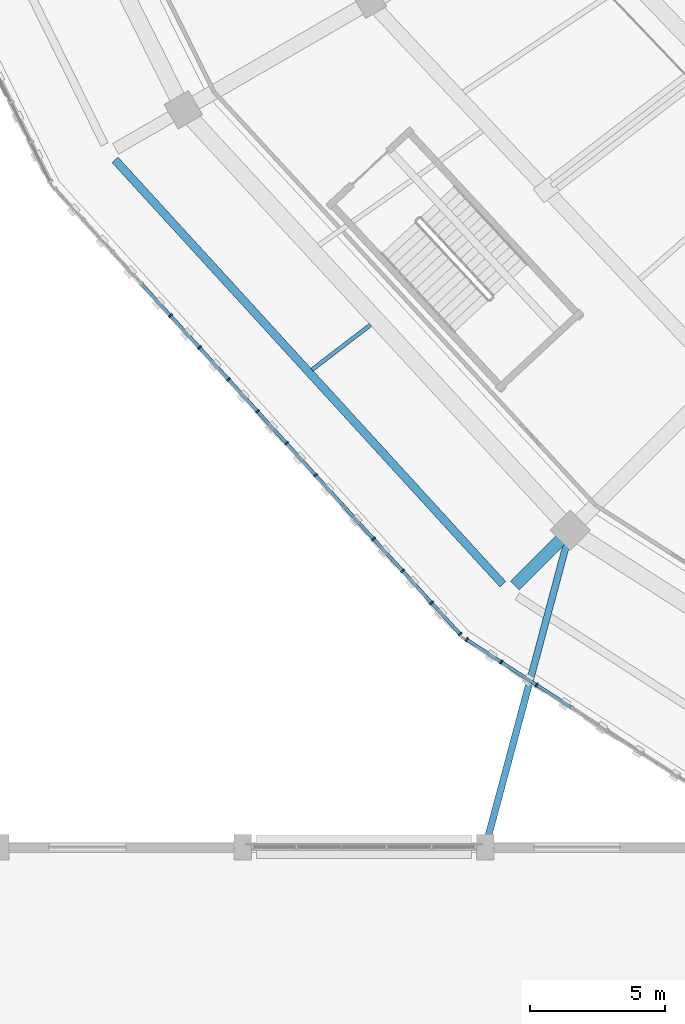
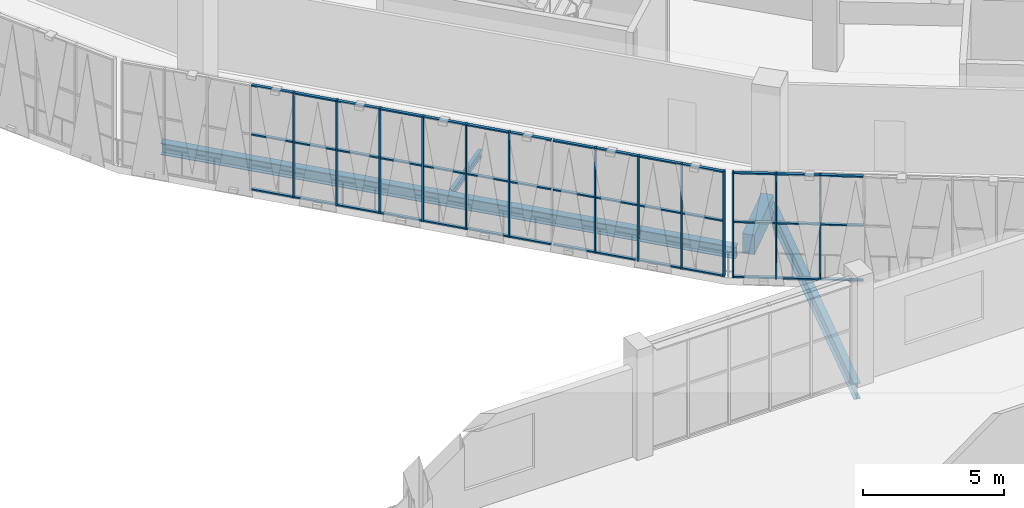
# One storey, part 8 of 152: 55 members, 4 beams, 2 elements without a shape of their own.
"""IFC4 building model written with IfcOpenShell, lengths in metres."""

from ifc_helpers import new_model, si_unit, direction, frame, origin, origin_2d, place, context, subcontext, project, spatial, rectangle, i_section, extrude, material, material_profile, profile_set, type_object, element, aggregate, save


model = new_model("IFC4")

# Units and contexts
model_context = context("Model", 3, precision=1e-05, world=origin(), true_north=direction((0.0, 1.0)))
body_context = subcontext(model_context, "Body", "Model", "MODEL_VIEW")
ifc_project = project(units=[si_unit("LENGTHUNIT", "METRE"), si_unit("AREAUNIT", "SQUARE_METRE"), si_unit("VOLUMEUNIT", "CUBIC_METRE"), si_unit("PLANEANGLEUNIT", "RADIAN"), si_unit("MASSUNIT", "GRAM", prefix="KILO")], contexts=[model_context])

# Site, building, storey
site_placement = place(None, origin())
site = spatial("IfcSite", under=ifc_project, at=site_placement, CompositionType="ELEMENT")
building_placement = place(site_placement, origin())
building = spatial("IfcBuilding", under=site, at=building_placement, Name="Zevraka Park Crest Stadium", CompositionType="ELEMENT")
storey_placement = place(building_placement, frame((0.0, 0.0, 15.0)))
storey = spatial("IfcBuildingStorey", under=building, at=storey_placement, Name="L03", CompositionType="ELEMENT", Elevation=15.0)

# Beams
ifc_material_1 = material(Name="Concrete C40/50", Category="concrete")
ifc_material_profile_1 = material_profile(ifc_material_1, rectangle(XDim=0.449951171875, YDim=0.85009765625, at=origin_2d()), Name="RC 850x450")
ifc_profile_set_1 = profile_set([ifc_material_profile_1], Name="Concrete C40/50")
beam_type_1 = type_object("IfcBeamType", Name="BG03", PredefinedType="BEAM", material=ifc_profile_set_1)
beam_1_placement = place(storey_placement, frame((47.93603515625, 38.54296875, -0.43505859375), z_axis=(-0.706965918589, -0.707247615728, 0.0), x_axis=(0.707247615728, -0.706965918589, 0.0)))
element("IfcBeam", 1, at=beam_1_placement, inside=storey, type_object=beam_type_1, Name="Radial Girder BG03 L03-DE-15", PredefinedType="BEAM", context=body_context, shape_type="SweptSolid", body=[
    extrude(rectangle(XDim=0.449951171875, YDim=0.85009765625, at=origin_2d()), origin(), (0.0, 0.0, 1.0), 2.60009765625),
])
ifc_material_2 = material(Name="Steel S355", Category="steel")
ifc_material_profile_2 = material_profile(ifc_material_2, i_section(OverallWidth=0.253662109375, OverallDepth=0.68359375, WebThickness=0.012451171875, FlangeThickness=0.01904296875, at=origin_2d()), Name="UKB 686x254x140")
ifc_profile_set_2 = profile_set([ifc_material_profile_2], Name="Steel S355")
beam_type_2 = type_object("IfcBeamType", Name="BG05", PredefinedType="BEAM", material=ifc_profile_set_2)
beam_2_placement = place(storey_placement, frame((45.052001953125, 27.193115234375, -0.649658203125), z_axis=(0.25869045552, 0.96596027259, 0.0), x_axis=(-0.96596027259, 0.25869045552, 0.0)))
element("IfcBeam", 2, at=beam_2_placement, inside=storey, type_object=beam_type_2, Name="Wing Link Girder BG05 L03-6/D", PredefinedType="BEAM", context=body_context, shape_type="SweptSolid", body=[
    extrude(i_section(OverallWidth=0.253662109375, OverallDepth=0.68359375, WebThickness=0.012451171875, FlangeThickness=0.01904296875, at=origin_2d()), origin(), (0.0, 0.0, 1.0), 11.58935546875),
])

# Curtain wall, members
ifc_material_3 = material(Name="Anodised architectural aluminium and laminated safety glass", Category="aluminium")
curtain_wall_type = type_object("IfcCurtainWallType", Name="CW13", PredefinedType="NOTDEFINED", material=ifc_material_3)
curtain_wall_1_placement = place(storey_placement, origin())
curtain_wall_1 = element("IfcCurtainWall", 3, at=curtain_wall_1_placement, inside=storey, type_object=curtain_wall_type, Name="Unitised Ring Curtain Wall CW13 L03-14", PredefinedType="NOTDEFINED")
ifc_material_4 = material(Name="Anodised architectural aluminium", Category="aluminium")
ifc_material_profile_3 = material_profile(ifc_material_4, rectangle(XDim=0.159912109375, YDim=0.06005859375, at=origin_2d()), Name="ALU MULLION 160x60")
ifc_profile_set_3 = profile_set([ifc_material_profile_3], Name="Anodised architectural aluminium")
member_type_1 = type_object("IfcMemberType", Name="CM01", PredefinedType="MULLION", material=ifc_profile_set_3)
member_1_placement = place(storey_placement, frame((33.320068359375, 46.716064453125, 0.0), z_axis=(0.0, 0.0, 1.0), x_axis=(0.739822878481, 0.672801685845, 0.0)))
member_1 = element("IfcMember", 4, at=member_1_placement, type_object=member_type_1, Name="CW13 mullion 5", PredefinedType="MULLION", context=body_context, shape_type="SweptSolid", body=[
    extrude(rectangle(XDim=0.159912109375, YDim=0.06005859375, at=origin_2d()), origin(), (0.0, 0.0, 1.0), 4.5400390625),
])
member_2_placement = place(storey_placement, frame((34.396484375, 45.532470703125, 0.0), z_axis=(0.0, 0.0, 1.0), x_axis=(0.739822878481, 0.672801685845, 0.0)))
member_2 = element("IfcMember", 5, at=member_2_placement, type_object=member_type_1, Name="CW13 mullion 6", PredefinedType="MULLION", context=body_context, shape_type="SweptSolid", body=[
    extrude(rectangle(XDim=0.159912109375, YDim=0.06005859375, at=origin_2d()), origin(), (0.0, 0.0, 1.0), 4.5400390625),
])
member_3_placement = place(storey_placement, frame((35.47265625, 44.34912109375, 0.0), z_axis=(0.0, 0.0, 1.0), x_axis=(0.739822878481, 0.672801685845, 0.0)))
member_3 = element("IfcMember", 6, at=member_3_placement, type_object=member_type_1, Name="CW13 mullion 7", PredefinedType="MULLION", context=body_context, shape_type="SweptSolid", body=[
    extrude(rectangle(XDim=0.159912109375, YDim=0.06005859375, at=origin_2d()), origin(), (0.0, 0.0, 1.0), 4.5400390625),
])
member_4_placement = place(storey_placement, frame((36.549072265625, 43.16552734375, 0.0), z_axis=(0.0, 0.0, 1.0), x_axis=(0.739822878481, 0.672801685845, 0.0)))
member_4 = element("IfcMember", 7, at=member_4_placement, type_object=member_type_1, Name="CW13 mullion 8", PredefinedType="MULLION", context=body_context, shape_type="SweptSolid", body=[
    extrude(rectangle(XDim=0.159912109375, YDim=0.06005859375, at=origin_2d()), origin(), (0.0, 0.0, 1.0), 4.5400390625),
])
member_5_placement = place(storey_placement, frame((37.625244140625, 41.98193359375, 0.0), z_axis=(0.0, 0.0, 1.0), x_axis=(0.739822878481, 0.672801685845, 0.0)))
member_5 = element("IfcMember", 8, at=member_5_placement, type_object=member_type_1, Name="CW13 mullion 9", PredefinedType="MULLION", context=body_context, shape_type="SweptSolid", body=[
    extrude(rectangle(XDim=0.159912109375, YDim=0.06005859375, at=origin_2d()), origin(), (0.0, 0.0, 1.0), 4.5400390625),
])
member_6_placement = place(storey_placement, frame((38.70166015625, 40.798583984375, 0.0), z_axis=(0.0, 0.0, 1.0), x_axis=(0.739822878481, 0.672801685845, 0.0)))
member_6 = element("IfcMember", 9, at=member_6_placement, type_object=member_type_1, Name="CW13 mullion 10", PredefinedType="MULLION", context=body_context, shape_type="SweptSolid", body=[
    extrude(rectangle(XDim=0.159912109375, YDim=0.06005859375, at=origin_2d()), origin(), (0.0, 0.0, 1.0), 4.5400390625),
])
member_7_placement = place(storey_placement, frame((40.854248046875, 38.431396484375, 0.0), z_axis=(0.0, 0.0, 1.0), x_axis=(0.739822878481, 0.672801685845, 0.0)))
member_7 = element("IfcMember", 10, at=member_7_placement, type_object=member_type_1, Name="CW13 mullion 12", PredefinedType="MULLION", context=body_context, shape_type="SweptSolid", body=[
    extrude(rectangle(XDim=0.159912109375, YDim=0.06005859375, at=origin_2d()), origin(), (0.0, 0.0, 1.0), 4.5400390625),
])
member_8_placement = place(storey_placement, frame((41.930419921875, 37.248046875, 0.0), z_axis=(0.0, 0.0, 1.0), x_axis=(0.739822878481, 0.672801685845, 0.0)))
member_8 = element("IfcMember", 11, at=member_8_placement, type_object=member_type_1, Name="CW13 mullion 13", PredefinedType="MULLION", context=body_context, shape_type="SweptSolid", body=[
    extrude(rectangle(XDim=0.159912109375, YDim=0.06005859375, at=origin_2d()), origin(), (0.0, 0.0, 1.0), 4.5400390625),
])
member_9_placement = place(storey_placement, frame((43.0068359375, 36.064453125, 0.0), z_axis=(0.0, 0.0, 1.0), x_axis=(0.739822878481, 0.672801685845, 0.0)))
member_9 = element("IfcMember", 12, at=member_9_placement, type_object=member_type_1, Name="CW13 mullion 14", PredefinedType="MULLION", context=body_context, shape_type="SweptSolid", body=[
    extrude(rectangle(XDim=0.159912109375, YDim=0.06005859375, at=origin_2d()), origin(), (0.0, 0.0, 1.0), 4.5400390625),
])
member_10_placement = place(storey_placement, frame((44.062744140625, 34.903076171875, 0.0), z_axis=(0.0, 0.0, 1.0), x_axis=(0.739822878481, 0.672801685845, 0.0)))
member_10 = element("IfcMember", 13, at=member_10_placement, type_object=member_type_1, Name="CW13 mullion 15", PredefinedType="MULLION", context=body_context, shape_type="SweptSolid", body=[
    extrude(rectangle(XDim=0.159912109375, YDim=0.06005859375, at=origin_2d()), origin(), (0.0, 0.0, 1.0), 4.5400390625),
])

curtain_wall_2_placement = place(storey_placement, origin())
curtain_wall_2 = element("IfcCurtainWall", 14, at=curtain_wall_2_placement, inside=storey, type_object=curtain_wall_type, Name="Unitised Ring Curtain Wall CW13 L03-15", PredefinedType="NOTDEFINED")
member_11_placement = place(storey_placement, frame((44.30419921875, 34.69873046875, 0.0), z_axis=(0.0, 0.0, 1.0), x_axis=(0.543469160232, 0.839429134517, 0.0)))
member_11 = element("IfcMember", 15, at=member_11_placement, type_object=member_type_1, Name="CW13 mullion 1", PredefinedType="MULLION", context=body_context, shape_type="SweptSolid", body=[
    extrude(rectangle(XDim=0.159912109375, YDim=0.06005859375, at=origin_2d()), origin(), (0.0, 0.0, 1.0), 4.5400390625),
])
member_12_placement = place(storey_placement, frame((45.5888671875, 33.866943359375, 0.0), z_axis=(0.0, 0.0, 1.0), x_axis=(0.543469160232, 0.839429134517, 0.0)))
member_12 = element("IfcMember", 16, at=member_12_placement, type_object=member_type_1, Name="CW13 mullion 2", PredefinedType="MULLION", context=body_context, shape_type="SweptSolid", body=[
    extrude(rectangle(XDim=0.159912109375, YDim=0.06005859375, at=origin_2d()), origin(), (0.0, 0.0, 1.0), 4.5400390625),
])
member_13_placement = place(storey_placement, frame((46.898681640625, 33.01904296875, 0.0), z_axis=(0.0, 0.0, 1.0), x_axis=(0.543469160232, 0.839429134517, 0.0)))
member_13 = element("IfcMember", 17, at=member_13_placement, type_object=member_type_1, Name="CW13 mullion 3", PredefinedType="MULLION", context=body_context, shape_type="SweptSolid", body=[
    extrude(rectangle(XDim=0.159912109375, YDim=0.06005859375, at=origin_2d()), origin(), (0.0, 0.0, 1.0), 4.5400390625),
])

# Member
ifc_material_5 = material(Name="Anodised architectural aluminium", Category="aluminium")
ifc_material_profile_4 = material_profile(ifc_material_5, rectangle(XDim=0.1201171875, YDim=0.06005859375, at=origin_2d()), Name="ALU TRANSOM 120x60")
ifc_profile_set_4 = profile_set([ifc_material_profile_4], Name="Anodised architectural aluminium")
member_type_2 = type_object("IfcMemberType", Name="CT01", PredefinedType="USERDEFINED", material=ifc_profile_set_4)
member_14_placement = place(storey_placement, frame((32.26416015625, 47.877197265625, 0.030029296875), z_axis=(0.672854315392, -0.73977501327, 0.0), x_axis=(0.73977501327, 0.672854315392, 0.0)))
member_14 = element("IfcMember", 18, at=member_14_placement, type_object=member_type_2, Name="CW13 transom 4.1", ObjectType="TRANSOM", PredefinedType="USERDEFINED", context=body_context, shape_type="SweptSolid", body=[
    extrude(rectangle(XDim=0.1201171875, YDim=0.06005859375, at=origin_2d()), origin(), (0.0, 0.0, 1.0), 1.53955078125),
])

member_15_placement = place(storey_placement, frame((32.26416015625, 47.877197265625, 2.39990234375), z_axis=(0.672854315392, -0.73977501327, 0.0), x_axis=(0.73977501327, 0.672854315392, 0.0)))
member_15 = element("IfcMember", 19, at=member_15_placement, type_object=member_type_2, Name="CW13 transom 4.2", ObjectType="TRANSOM", PredefinedType="USERDEFINED", context=body_context, shape_type="SweptSolid", body=[
    extrude(rectangle(XDim=0.1201171875, YDim=0.06005859375, at=origin_2d()), origin(), (0.0, 0.0, 1.0), 1.53955078125),
])

member_16_placement = place(storey_placement, frame((32.26416015625, 47.877197265625, 4.510009765625), z_axis=(0.672854315392, -0.73977501327, 0.0), x_axis=(0.73977501327, 0.672854315392, 0.0)))
member_16 = element("IfcMember", 20, at=member_16_placement, type_object=member_type_2, Name="CW13 transom 4.3", ObjectType="TRANSOM", PredefinedType="USERDEFINED", context=body_context, shape_type="SweptSolid", body=[
    extrude(rectangle(XDim=0.1201171875, YDim=0.06005859375, at=origin_2d()), origin(), (0.0, 0.0, 1.0), 1.53955078125),
])

member_17_placement = place(storey_placement, frame((33.34033203125, 46.69384765625, 0.030029296875), z_axis=(0.672775385986, -0.739846794959, 0.0), x_axis=(0.739846794959, 0.672775385986, 0.0)))
member_17 = element("IfcMember", 21, at=member_17_placement, type_object=member_type_2, Name="CW13 transom 5.1", ObjectType="TRANSOM", PredefinedType="USERDEFINED", context=body_context, shape_type="SweptSolid", body=[
    extrude(rectangle(XDim=0.1201171875, YDim=0.06005859375, at=origin_2d()), origin(), (0.0, 0.0, 1.0), 1.539794921875),
])

member_18_placement = place(storey_placement, frame((33.34033203125, 46.69384765625, 2.39990234375), z_axis=(0.672775385986, -0.739846794959, 0.0), x_axis=(0.739846794959, 0.672775385986, 0.0)))
member_18 = element("IfcMember", 22, at=member_18_placement, type_object=member_type_2, Name="CW13 transom 5.2", ObjectType="TRANSOM", PredefinedType="USERDEFINED", context=body_context, shape_type="SweptSolid", body=[
    extrude(rectangle(XDim=0.1201171875, YDim=0.06005859375, at=origin_2d()), origin(), (0.0, 0.0, 1.0), 1.539794921875),
])

member_19_placement = place(storey_placement, frame((33.34033203125, 46.69384765625, 4.510009765625), z_axis=(0.672775385986, -0.739846794959, 0.0), x_axis=(0.739846794959, 0.672775385986, 0.0)))
member_19 = element("IfcMember", 23, at=member_19_placement, type_object=member_type_2, Name="CW13 transom 5.3", ObjectType="TRANSOM", PredefinedType="USERDEFINED", context=body_context, shape_type="SweptSolid", body=[
    extrude(rectangle(XDim=0.1201171875, YDim=0.06005859375, at=origin_2d()), origin(), (0.0, 0.0, 1.0), 1.539794921875),
])

member_20_placement = place(storey_placement, frame((34.41650390625, 45.51025390625, 0.030029296875), z_axis=(0.672862164291, -0.739767874313, 0.0), x_axis=(0.739767874313, 0.672862164291, 0.0)))
member_20 = element("IfcMember", 24, at=member_20_placement, type_object=member_type_2, Name="CW13 transom 6.1", ObjectType="TRANSOM", PredefinedType="USERDEFINED", context=body_context, shape_type="SweptSolid", body=[
    extrude(rectangle(XDim=0.1201171875, YDim=0.06005859375, at=origin_2d()), origin(), (0.0, 0.0, 1.0), 1.539794921875),
])

member_21_placement = place(storey_placement, frame((34.41650390625, 45.51025390625, 2.39990234375), z_axis=(0.672862164291, -0.739767874313, 0.0), x_axis=(0.739767874313, 0.672862164291, 0.0)))
member_21 = element("IfcMember", 25, at=member_21_placement, type_object=member_type_2, Name="CW13 transom 6.2", ObjectType="TRANSOM", PredefinedType="USERDEFINED", context=body_context, shape_type="SweptSolid", body=[
    extrude(rectangle(XDim=0.1201171875, YDim=0.06005859375, at=origin_2d()), origin(), (0.0, 0.0, 1.0), 1.539794921875),
])

member_22_placement = place(storey_placement, frame((34.41650390625, 45.51025390625, 4.510009765625), z_axis=(0.672862164291, -0.739767874313, 0.0), x_axis=(0.739767874313, 0.672862164291, 0.0)))
member_22 = element("IfcMember", 26, at=member_22_placement, type_object=member_type_2, Name="CW13 transom 6.3", ObjectType="TRANSOM", PredefinedType="USERDEFINED", context=body_context, shape_type="SweptSolid", body=[
    extrude(rectangle(XDim=0.1201171875, YDim=0.06005859375, at=origin_2d()), origin(), (0.0, 0.0, 1.0), 1.539794921875),
])

member_23_placement = place(storey_placement, frame((35.492919921875, 44.326904296875, 0.030029296875), z_axis=(0.672775385986, -0.739846794959, 0.0), x_axis=(0.739846794959, 0.672775385986, 0.0)))
member_23 = element("IfcMember", 27, at=member_23_placement, type_object=member_type_2, Name="CW13 transom 7.1", ObjectType="TRANSOM", PredefinedType="USERDEFINED", context=body_context, shape_type="SweptSolid", body=[
    extrude(rectangle(XDim=0.1201171875, YDim=0.06005859375, at=origin_2d()), origin(), (0.0, 0.0, 1.0), 1.539794921875),
])

member_24_placement = place(storey_placement, frame((35.492919921875, 44.326904296875, 2.39990234375), z_axis=(0.672775385986, -0.739846794959, 0.0), x_axis=(0.739846794959, 0.672775385986, 0.0)))
member_24 = element("IfcMember", 28, at=member_24_placement, type_object=member_type_2, Name="CW13 transom 7.2", ObjectType="TRANSOM", PredefinedType="USERDEFINED", context=body_context, shape_type="SweptSolid", body=[
    extrude(rectangle(XDim=0.1201171875, YDim=0.06005859375, at=origin_2d()), origin(), (0.0, 0.0, 1.0), 1.539794921875),
])

member_25_placement = place(storey_placement, frame((35.492919921875, 44.326904296875, 4.510009765625), z_axis=(0.672775385986, -0.739846794959, 0.0), x_axis=(0.739846794959, 0.672775385986, 0.0)))
member_25 = element("IfcMember", 29, at=member_25_placement, type_object=member_type_2, Name="CW13 transom 7.3", ObjectType="TRANSOM", PredefinedType="USERDEFINED", context=body_context, shape_type="SweptSolid", body=[
    extrude(rectangle(XDim=0.1201171875, YDim=0.06005859375, at=origin_2d()), origin(), (0.0, 0.0, 1.0), 1.539794921875),
])

member_26_placement = place(storey_placement, frame((36.569091796875, 43.143310546875, 0.030029296875), z_axis=(0.672775385986, -0.739846794959, 0.0), x_axis=(0.739846794959, 0.672775385986, 0.0)))
member_26 = element("IfcMember", 30, at=member_26_placement, type_object=member_type_2, Name="CW13 transom 8.1", ObjectType="TRANSOM", PredefinedType="USERDEFINED", context=body_context, shape_type="SweptSolid", body=[
    extrude(rectangle(XDim=0.1201171875, YDim=0.06005859375, at=origin_2d()), origin(), (0.0, 0.0, 1.0), 1.539794921875),
])

member_27_placement = place(storey_placement, frame((36.569091796875, 43.143310546875, 2.39990234375), z_axis=(0.672775385986, -0.739846794959, 0.0), x_axis=(0.739846794959, 0.672775385986, 0.0)))
member_27 = element("IfcMember", 31, at=member_27_placement, type_object=member_type_2, Name="CW13 transom 8.2", ObjectType="TRANSOM", PredefinedType="USERDEFINED", context=body_context, shape_type="SweptSolid", body=[
    extrude(rectangle(XDim=0.1201171875, YDim=0.06005859375, at=origin_2d()), origin(), (0.0, 0.0, 1.0), 1.539794921875),
])

member_28_placement = place(storey_placement, frame((36.569091796875, 43.143310546875, 4.510009765625), z_axis=(0.672775385986, -0.739846794959, 0.0), x_axis=(0.739846794959, 0.672775385986, 0.0)))
member_28 = element("IfcMember", 32, at=member_28_placement, type_object=member_type_2, Name="CW13 transom 8.3", ObjectType="TRANSOM", PredefinedType="USERDEFINED", context=body_context, shape_type="SweptSolid", body=[
    extrude(rectangle(XDim=0.1201171875, YDim=0.06005859375, at=origin_2d()), origin(), (0.0, 0.0, 1.0), 1.539794921875),
])

member_29_placement = place(storey_placement, frame((37.6455078125, 41.959716796875, 0.030029296875), z_axis=(0.672854315392, -0.73977501327, 0.0), x_axis=(0.73977501327, 0.672854315392, 0.0)))
member_29 = element("IfcMember", 33, at=member_29_placement, type_object=member_type_2, Name="CW13 transom 9.1", ObjectType="TRANSOM", PredefinedType="USERDEFINED", context=body_context, shape_type="SweptSolid", body=[
    extrude(rectangle(XDim=0.1201171875, YDim=0.06005859375, at=origin_2d()), origin(), (0.0, 0.0, 1.0), 1.53955078125),
])

member_30_placement = place(storey_placement, frame((37.6455078125, 41.959716796875, 2.39990234375), z_axis=(0.672854315392, -0.73977501327, 0.0), x_axis=(0.73977501327, 0.672854315392, 0.0)))
member_30 = element("IfcMember", 34, at=member_30_placement, type_object=member_type_2, Name="CW13 transom 9.2", ObjectType="TRANSOM", PredefinedType="USERDEFINED", context=body_context, shape_type="SweptSolid", body=[
    extrude(rectangle(XDim=0.1201171875, YDim=0.06005859375, at=origin_2d()), origin(), (0.0, 0.0, 1.0), 1.53955078125),
])

member_31_placement = place(storey_placement, frame((37.6455078125, 41.959716796875, 4.510009765625), z_axis=(0.672854315392, -0.73977501327, 0.0), x_axis=(0.73977501327, 0.672854315392, 0.0)))
member_31 = element("IfcMember", 35, at=member_31_placement, type_object=member_type_2, Name="CW13 transom 9.3", ObjectType="TRANSOM", PredefinedType="USERDEFINED", context=body_context, shape_type="SweptSolid", body=[
    extrude(rectangle(XDim=0.1201171875, YDim=0.06005859375, at=origin_2d()), origin(), (0.0, 0.0, 1.0), 1.53955078125),
])

member_32_placement = place(storey_placement, frame((38.7216796875, 40.7763671875, 0.030029296875), z_axis=(0.672775385986, -0.739846794959, 0.0), x_axis=(0.739846794959, 0.672775385986, 0.0)))
member_32 = element("IfcMember", 36, at=member_32_placement, type_object=member_type_2, Name="CW13 transom 10.1", ObjectType="TRANSOM", PredefinedType="USERDEFINED", context=body_context, shape_type="SweptSolid", body=[
    extrude(rectangle(XDim=0.1201171875, YDim=0.06005859375, at=origin_2d()), origin(), (0.0, 0.0, 1.0), 1.539794921875),
])

member_33_placement = place(storey_placement, frame((38.7216796875, 40.7763671875, 2.39990234375), z_axis=(0.672775385986, -0.739846794959, 0.0), x_axis=(0.739846794959, 0.672775385986, 0.0)))
member_33 = element("IfcMember", 37, at=member_33_placement, type_object=member_type_2, Name="CW13 transom 10.2", ObjectType="TRANSOM", PredefinedType="USERDEFINED", context=body_context, shape_type="SweptSolid", body=[
    extrude(rectangle(XDim=0.1201171875, YDim=0.06005859375, at=origin_2d()), origin(), (0.0, 0.0, 1.0), 1.539794921875),
])

member_34_placement = place(storey_placement, frame((38.7216796875, 40.7763671875, 4.510009765625), z_axis=(0.672775385986, -0.739846794959, 0.0), x_axis=(0.739846794959, 0.672775385986, 0.0)))
member_34 = element("IfcMember", 38, at=member_34_placement, type_object=member_type_2, Name="CW13 transom 10.3", ObjectType="TRANSOM", PredefinedType="USERDEFINED", context=body_context, shape_type="SweptSolid", body=[
    extrude(rectangle(XDim=0.1201171875, YDim=0.06005859375, at=origin_2d()), origin(), (0.0, 0.0, 1.0), 1.539794921875),
])

member_35_placement = place(storey_placement, frame((39.798095703125, 39.5927734375, 0.030029296875), z_axis=(0.672775385986, -0.739846794959, 0.0), x_axis=(0.739846794959, 0.672775385986, 0.0)))
member_35 = element("IfcMember", 39, at=member_35_placement, type_object=member_type_2, Name="CW13 transom 11.1", ObjectType="TRANSOM", PredefinedType="USERDEFINED", context=body_context, shape_type="SweptSolid", body=[
    extrude(rectangle(XDim=0.1201171875, YDim=0.06005859375, at=origin_2d()), origin(), (0.0, 0.0, 1.0), 1.539794921875),
])

member_36_placement = place(storey_placement, frame((39.798095703125, 39.5927734375, 2.39990234375), z_axis=(0.672775385986, -0.739846794959, 0.0), x_axis=(0.739846794959, 0.672775385986, 0.0)))
member_36 = element("IfcMember", 40, at=member_36_placement, type_object=member_type_2, Name="CW13 transom 11.2", ObjectType="TRANSOM", PredefinedType="USERDEFINED", context=body_context, shape_type="SweptSolid", body=[
    extrude(rectangle(XDim=0.1201171875, YDim=0.06005859375, at=origin_2d()), origin(), (0.0, 0.0, 1.0), 1.539794921875),
])

member_37_placement = place(storey_placement, frame((39.798095703125, 39.5927734375, 4.510009765625), z_axis=(0.672775385986, -0.739846794959, 0.0), x_axis=(0.739846794959, 0.672775385986, 0.0)))
member_37 = element("IfcMember", 41, at=member_37_placement, type_object=member_type_2, Name="CW13 transom 11.3", ObjectType="TRANSOM", PredefinedType="USERDEFINED", context=body_context, shape_type="SweptSolid", body=[
    extrude(rectangle(XDim=0.1201171875, YDim=0.06005859375, at=origin_2d()), origin(), (0.0, 0.0, 1.0), 1.539794921875),
])

member_38_placement = place(storey_placement, frame((40.874267578125, 38.409423828125, 0.030029296875), z_axis=(0.672775385986, -0.739846794959, 0.0), x_axis=(0.739846794959, 0.672775385986, 0.0)))
member_38 = element("IfcMember", 42, at=member_38_placement, type_object=member_type_2, Name="CW13 transom 12.1", ObjectType="TRANSOM", PredefinedType="USERDEFINED", context=body_context, shape_type="SweptSolid", body=[
    extrude(rectangle(XDim=0.1201171875, YDim=0.06005859375, at=origin_2d()), origin(), (0.0, 0.0, 1.0), 1.539794921875),
])

member_39_placement = place(storey_placement, frame((40.874267578125, 38.409423828125, 2.39990234375), z_axis=(0.672775385986, -0.739846794959, 0.0), x_axis=(0.739846794959, 0.672775385986, 0.0)))
member_39 = element("IfcMember", 43, at=member_39_placement, type_object=member_type_2, Name="CW13 transom 12.2", ObjectType="TRANSOM", PredefinedType="USERDEFINED", context=body_context, shape_type="SweptSolid", body=[
    extrude(rectangle(XDim=0.1201171875, YDim=0.06005859375, at=origin_2d()), origin(), (0.0, 0.0, 1.0), 1.539794921875),
])

member_40_placement = place(storey_placement, frame((40.874267578125, 38.409423828125, 4.510009765625), z_axis=(0.672775385986, -0.739846794959, 0.0), x_axis=(0.739846794959, 0.672775385986, 0.0)))
member_40 = element("IfcMember", 44, at=member_40_placement, type_object=member_type_2, Name="CW13 transom 12.3", ObjectType="TRANSOM", PredefinedType="USERDEFINED", context=body_context, shape_type="SweptSolid", body=[
    extrude(rectangle(XDim=0.1201171875, YDim=0.06005859375, at=origin_2d()), origin(), (0.0, 0.0, 1.0), 1.539794921875),
])

member_41_placement = place(storey_placement, frame((41.95068359375, 37.225830078125, 0.030029296875), z_axis=(0.672775385986, -0.739846794959, 0.0), x_axis=(0.739846794959, 0.672775385986, 0.0)))
member_41 = element("IfcMember", 45, at=member_41_placement, type_object=member_type_2, Name="CW13 transom 13.1", ObjectType="TRANSOM", PredefinedType="USERDEFINED", context=body_context, shape_type="SweptSolid", body=[
    extrude(rectangle(XDim=0.1201171875, YDim=0.06005859375, at=origin_2d()), origin(), (0.0, 0.0, 1.0), 1.539794921875),
])

member_42_placement = place(storey_placement, frame((41.95068359375, 37.225830078125, 2.39990234375), z_axis=(0.672775385986, -0.739846794959, 0.0), x_axis=(0.739846794959, 0.672775385986, 0.0)))
member_42 = element("IfcMember", 46, at=member_42_placement, type_object=member_type_2, Name="CW13 transom 13.2", ObjectType="TRANSOM", PredefinedType="USERDEFINED", context=body_context, shape_type="SweptSolid", body=[
    extrude(rectangle(XDim=0.1201171875, YDim=0.06005859375, at=origin_2d()), origin(), (0.0, 0.0, 1.0), 1.539794921875),
])

member_43_placement = place(storey_placement, frame((41.95068359375, 37.225830078125, 4.510009765625), z_axis=(0.672775385986, -0.739846794959, 0.0), x_axis=(0.739846794959, 0.672775385986, 0.0)))
member_43 = element("IfcMember", 47, at=member_43_placement, type_object=member_type_2, Name="CW13 transom 13.3", ObjectType="TRANSOM", PredefinedType="USERDEFINED", context=body_context, shape_type="SweptSolid", body=[
    extrude(rectangle(XDim=0.1201171875, YDim=0.06005859375, at=origin_2d()), origin(), (0.0, 0.0, 1.0), 1.539794921875),
])

member_44_placement = place(storey_placement, frame((43.02685546875, 36.042236328125, 0.030029296875), z_axis=(0.672841795223, -0.73978640066, 0.0), x_axis=(0.73978640066, 0.672841795223, 0.0)))
member_44 = element("IfcMember", 48, at=member_44_placement, type_object=member_type_2, Name="CW13 transom 14.1", ObjectType="TRANSOM", PredefinedType="USERDEFINED", context=body_context, shape_type="SweptSolid", body=[
    extrude(rectangle(XDim=0.1201171875, YDim=0.06005859375, at=origin_2d()), origin(), (0.0, 0.0, 1.0), 1.509765625),
])

member_45_placement = place(storey_placement, frame((43.02685546875, 36.042236328125, 2.39990234375), z_axis=(0.672841795223, -0.73978640066, 0.0), x_axis=(0.73978640066, 0.672841795223, 0.0)))
member_45 = element("IfcMember", 49, at=member_45_placement, type_object=member_type_2, Name="CW13 transom 14.2", ObjectType="TRANSOM", PredefinedType="USERDEFINED", context=body_context, shape_type="SweptSolid", body=[
    extrude(rectangle(XDim=0.1201171875, YDim=0.06005859375, at=origin_2d()), origin(), (0.0, 0.0, 1.0), 1.509765625),
])

member_46_placement = place(storey_placement, frame((43.02685546875, 36.042236328125, 4.510009765625), z_axis=(0.672841795223, -0.73978640066, 0.0), x_axis=(0.73978640066, 0.672841795223, 0.0)))
member_46 = element("IfcMember", 50, at=member_46_placement, type_object=member_type_2, Name="CW13 transom 14.3", ObjectType="TRANSOM", PredefinedType="USERDEFINED", context=body_context, shape_type="SweptSolid", body=[
    extrude(rectangle(XDim=0.1201171875, YDim=0.06005859375, at=origin_2d()), origin(), (0.0, 0.0, 1.0), 1.509765625),
])

aggregate(curtain_wall_1, [member_1, member_2, member_3, member_4, member_5, member_6, member_7, member_8, member_9, member_10, member_14, member_15, member_16, member_17, member_18, member_19, member_20, member_21, member_22, member_23, member_24, member_25, member_26, member_27, member_28, member_29, member_30, member_31, member_32, member_33, member_34, member_35, member_36, member_37, member_38, member_39, member_40, member_41, member_42, member_43, member_44, member_45, member_46])

member_47_placement = place(storey_placement, frame((44.329345703125, 34.682373046875, 0.030029296875), z_axis=(0.839458776454, -0.543423373286, 0.0), x_axis=(0.543423373286, 0.839458776454, 0.0)))
member_47 = element("IfcMember", 51, at=member_47_placement, type_object=member_type_2, Name="CW13 transom 1.1", ObjectType="TRANSOM", PredefinedType="USERDEFINED", context=body_context, shape_type="SweptSolid", body=[
    extrude(rectangle(XDim=0.1201171875, YDim=0.06005859375, at=origin_2d()), origin(), (0.0, 0.0, 1.0), 1.470458984375),
])

member_48_placement = place(storey_placement, frame((44.329345703125, 34.682373046875, 2.39990234375), z_axis=(0.839458776454, -0.543423373286, 0.0), x_axis=(0.543423373286, 0.839458776454, 0.0)))
member_48 = element("IfcMember", 52, at=member_48_placement, type_object=member_type_2, Name="CW13 transom 1.2", ObjectType="TRANSOM", PredefinedType="USERDEFINED", context=body_context, shape_type="SweptSolid", body=[
    extrude(rectangle(XDim=0.1201171875, YDim=0.06005859375, at=origin_2d()), origin(), (0.0, 0.0, 1.0), 1.470458984375),
])

member_49_placement = place(storey_placement, frame((44.329345703125, 34.682373046875, 4.510009765625), z_axis=(0.839458776454, -0.543423373286, 0.0), x_axis=(0.543423373286, 0.839458776454, 0.0)))
member_49 = element("IfcMember", 53, at=member_49_placement, type_object=member_type_2, Name="CW13 transom 1.3", ObjectType="TRANSOM", PredefinedType="USERDEFINED", context=body_context, shape_type="SweptSolid", body=[
    extrude(rectangle(XDim=0.1201171875, YDim=0.06005859375, at=origin_2d()), origin(), (0.0, 0.0, 1.0), 1.470458984375),
])

member_50_placement = place(storey_placement, frame((45.614013671875, 33.8505859375, 0.030029296875), z_axis=(0.839509029958, -0.543345735807, 0.0), x_axis=(0.543345735807, 0.839509029958, 0.0)))
member_50 = element("IfcMember", 54, at=member_50_placement, type_object=member_type_2, Name="CW13 transom 2.1", ObjectType="TRANSOM", PredefinedType="USERDEFINED", context=body_context, shape_type="SweptSolid", body=[
    extrude(rectangle(XDim=0.1201171875, YDim=0.06005859375, at=origin_2d()), origin(), (0.0, 0.0, 1.0), 1.500244140625),
])

member_51_placement = place(storey_placement, frame((45.614013671875, 33.8505859375, 2.39990234375), z_axis=(0.839509029958, -0.543345735807, 0.0), x_axis=(0.543345735807, 0.839509029958, 0.0)))
member_51 = element("IfcMember", 55, at=member_51_placement, type_object=member_type_2, Name="CW13 transom 2.2", ObjectType="TRANSOM", PredefinedType="USERDEFINED", context=body_context, shape_type="SweptSolid", body=[
    extrude(rectangle(XDim=0.1201171875, YDim=0.06005859375, at=origin_2d()), origin(), (0.0, 0.0, 1.0), 1.500244140625),
])

member_52_placement = place(storey_placement, frame((45.614013671875, 33.8505859375, 4.510009765625), z_axis=(0.839509029958, -0.543345735807, 0.0), x_axis=(0.543345735807, 0.839509029958, 0.0)))
member_52 = element("IfcMember", 56, at=member_52_placement, type_object=member_type_2, Name="CW13 transom 2.3", ObjectType="TRANSOM", PredefinedType="USERDEFINED", context=body_context, shape_type="SweptSolid", body=[
    extrude(rectangle(XDim=0.1201171875, YDim=0.06005859375, at=origin_2d()), origin(), (0.0, 0.0, 1.0), 1.500244140625),
])

member_53_placement = place(storey_placement, frame((46.923828125, 33.002685546875, 0.030029296875), z_axis=(0.839386734847, -0.543534644124, 0.0), x_axis=(0.543534644124, 0.839386734847, 0.0)))
member_53 = element("IfcMember", 57, at=member_53_placement, type_object=member_type_2, Name="CW13 transom 3.1", ObjectType="TRANSOM", PredefinedType="USERDEFINED", context=body_context, shape_type="SweptSolid", body=[
    extrude(rectangle(XDim=0.1201171875, YDim=0.06005859375, at=origin_2d()), origin(), (0.0, 0.0, 1.0), 1.500244140625),
])

member_54_placement = place(storey_placement, frame((46.923828125, 33.002685546875, 2.39990234375), z_axis=(0.839386734847, -0.543534644124, 0.0), x_axis=(0.543534644124, 0.839386734847, 0.0)))
member_54 = element("IfcMember", 58, at=member_54_placement, type_object=member_type_2, Name="CW13 transom 3.2", ObjectType="TRANSOM", PredefinedType="USERDEFINED", context=body_context, shape_type="SweptSolid", body=[
    extrude(rectangle(XDim=0.1201171875, YDim=0.06005859375, at=origin_2d()), origin(), (0.0, 0.0, 1.0), 1.500244140625),
])

member_55_placement = place(storey_placement, frame((46.923828125, 33.002685546875, 4.510009765625), z_axis=(0.839386734847, -0.543534644124, 0.0), x_axis=(0.543534644124, 0.839386734847, 0.0)))
member_55 = element("IfcMember", 59, at=member_55_placement, type_object=member_type_2, Name="CW13 transom 3.3", ObjectType="TRANSOM", PredefinedType="USERDEFINED", context=body_context, shape_type="SweptSolid", body=[
    extrude(rectangle(XDim=0.1201171875, YDim=0.06005859375, at=origin_2d()), origin(), (0.0, 0.0, 1.0), 1.500244140625),
])

aggregate(curtain_wall_2, [member_11, member_12, member_13, member_47, member_48, member_49, member_50, member_51, member_52, member_53, member_54, member_55])

# Beams
ifc_material_6 = material(Name="Steel S355", Category="steel")
ifc_material_profile_5 = material_profile(ifc_material_6, i_section(OverallWidth=0.300048828125, OverallDepth=0.5, WebThickness=0.014404296875, FlangeThickness=0.028076171875, at=origin_2d()), Name="HEB 500")
ifc_profile_set_5 = profile_set([ifc_material_profile_5], Name="Steel S355")
beam_type_3 = type_object("IfcBeamType", Name="RB05", PredefinedType="BEAM", material=ifc_profile_set_5)
beam_3_placement = place(storey_placement, frame((31.262939453125, 52.491943359375, -0.60498046875), z_axis=(0.674624342029, -0.738161227065, 0.0), x_axis=(0.738161227065, 0.674624342029, 0.0)))
element("IfcBeam", 60, at=beam_3_placement, inside=storey, type_object=beam_type_3, Name="Ring Beam RB05 L03-E-14", PredefinedType="BEAM", context=body_context, shape_type="SweptSolid", body=[
    extrude(i_section(OverallWidth=0.300048828125, OverallDepth=0.5, WebThickness=0.014404296875, FlangeThickness=0.028076171875, at=origin_2d()), origin(), (0.0, 0.0, 1.0), 21.325927734375),
])
ifc_material_7 = material(Name="Steel S355", Category="steel")
ifc_material_profile_6 = material_profile(ifc_material_7, i_section(OverallWidth=0.14990234375, OverallDepth=0.300048828125, WebThickness=0.007080078125, FlangeThickness=0.0107421875, at=origin_2d()), Name="IPE 300")
ifc_profile_set_6 = profile_set([ifc_material_profile_6], Name="Steel S355")
beam_type_4 = type_object("IfcBeamType", Name="SJ01", PredefinedType="JOIST", material=ifc_profile_set_6)
beam_4_placement = place(storey_placement, frame((40.739013671875, 46.373046875, -0.4580078125), z_axis=(-0.793128631587, -0.609054163238, 0.0), x_axis=(0.609054163238, -0.793128631587, 0.0)))
element("IfcBeam", 61, at=beam_4_placement, inside=storey, type_object=beam_type_4, Name="Floor Joist SJ01 L03-DE-14-1", PredefinedType="JOIST", context=body_context, shape_type="SweptSolid", body=[
    extrude(i_section(OverallWidth=0.14990234375, OverallDepth=0.300048828125, WebThickness=0.007080078125, FlangeThickness=0.0107421875, at=origin_2d()), origin(), (0.0, 0.0, 1.0), 2.732177734375),
])

save(model, "model.ifc")
